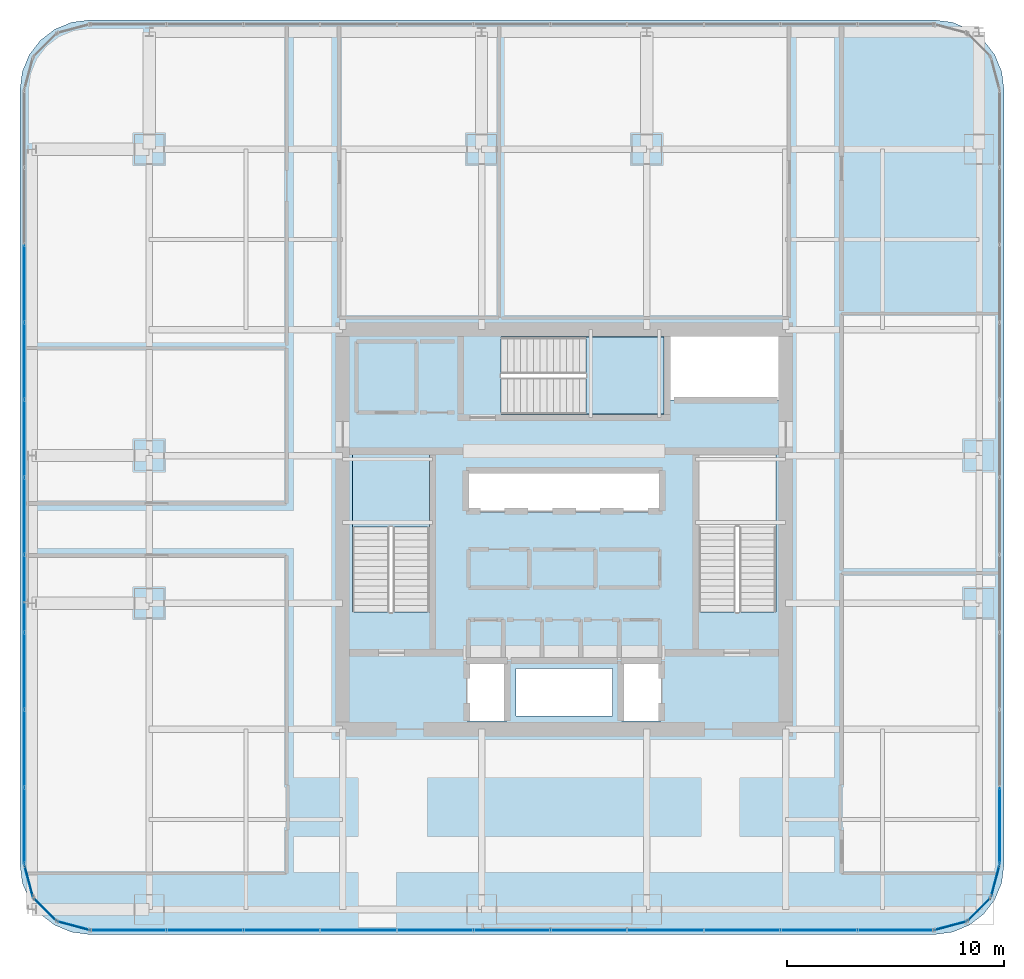
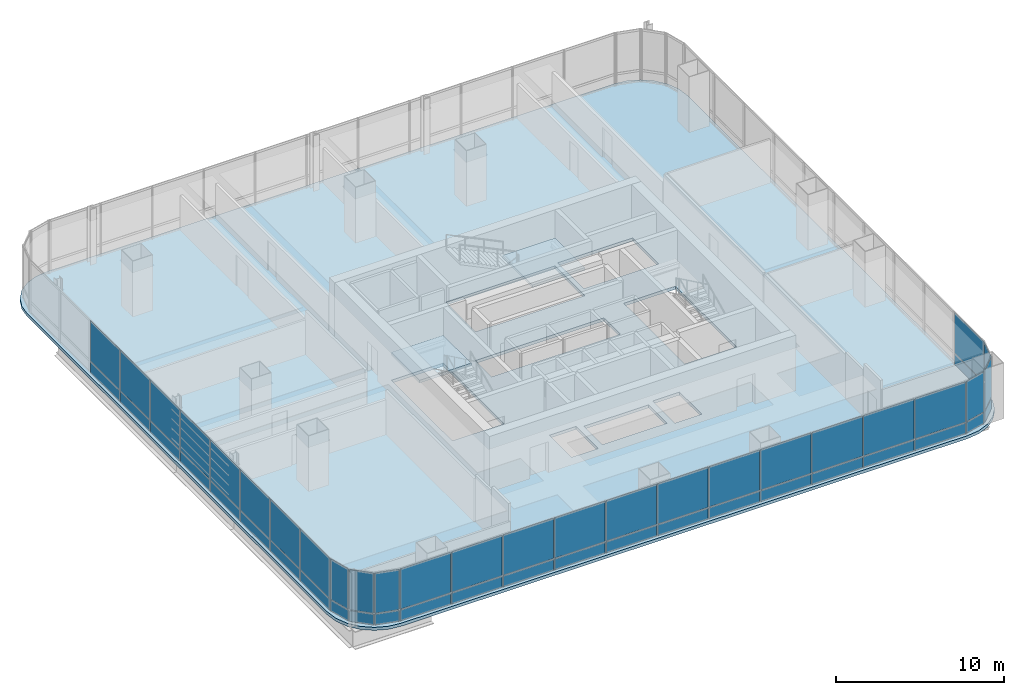
# One storey, part 28 of 38: 52 plates, 3 slabs, 11 elements without a shape of their own.
"""IFC4 building model written with IfcOpenShell, lengths in metres."""

from ifc_helpers import new_model, si_unit, direction, frame, origin, origin_2d, place, context, subcontext, project, spatial, polyline, rectangle, outline, extrude, material, layer, layer_set, type_object, element, aggregate, save


model = new_model("IFC4")

# Units and contexts
model_context = context("Model", 3, precision=1e-05, world=origin(), true_north=direction((0.0, 1.0)))
body_context = subcontext(model_context, "Body", "Model", "MODEL_VIEW")
ifc_project = project(units=[si_unit("LENGTHUNIT", "METRE"), si_unit("AREAUNIT", "SQUARE_METRE"), si_unit("VOLUMEUNIT", "CUBIC_METRE"), si_unit("PLANEANGLEUNIT", "RADIAN"), si_unit("MASSUNIT", "GRAM", prefix="KILO")], contexts=[model_context])

# Site, building, storey
site_placement = place(None, origin())
site = spatial("IfcSite", under=ifc_project, at=site_placement, CompositionType="ELEMENT")
building_placement = place(site_placement, origin())
building = spatial("IfcBuilding", under=site, at=building_placement, Name="Punatoya Terracotta Tower", CompositionType="ELEMENT")
storey_placement = place(building_placement, frame((0.0, 0.0, 147.89990234375)))
storey = spatial("IfcBuildingStorey", under=building, at=storey_placement, Name="L34", CompositionType="ELEMENT", Elevation=147.89990234375)

# Curtain wall, plates
ifc_material_1 = material(Name="Aluminium 6063-T6 + Double Low-E Glass", Category="aluminium")
curtain_wall_type = type_object("IfcCurtainWallType", Name="CW-M2", PredefinedType="NOTDEFINED", material=ifc_material_1)
curtain_wall_1_placement = place(storey_placement, origin())
curtain_wall_1 = element("IfcCurtainWall", 1, at=curtain_wall_1_placement, inside=storey, type_object=curtain_wall_type, Name="L34 Curtain Wall CW-L34-S01-1", PredefinedType="NOTDEFINED")
ifc_material_2 = material(Name="Double Low-E Acoustic Vision Glass", Category="glass")
ifc_layer_1 = layer(ifc_material_2, 0.031982421875)
ifc_layer_set_1 = layer_set([ifc_layer_1], Name="Double Low-E Acoustic Vision Glass")
plate_type_1 = type_object("IfcPlateType", Name="PLT-GLZ-32", PredefinedType="CURTAIN_PANEL", material=ifc_layer_set_1)
plate_1_placement = place(storey_placement, frame((-20.06982421875, -18.449951171875, 0.89013671875), z_axis=(0.0, 0.0, 1.0), x_axis=(1.0, 0.0, 0.0)))
plate_1 = element("IfcPlate", 2, at=plate_1_placement, type_object=plate_type_1, Name="CW-L34-S01-1 Vision Glass Panel 1", PredefinedType="CURTAIN_PANEL", context=body_context, shape_type="SweptSolid", body=[
    extrude(rectangle(XDim=3.448974609375, YDim=0.031982421875, at=origin_2d()), origin(), (0.0, 0.0, 1.0), 2.89990234375),
])
plate_2_placement = place(storey_placement, frame((-16.535888671875, -18.449951171875, 0.89013671875), z_axis=(0.0, 0.0, 1.0), x_axis=(1.0, 0.0, 0.0)))
plate_2 = element("IfcPlate", 3, at=plate_2_placement, type_object=plate_type_1, Name="CW-L34-S01-1 Vision Glass Panel 2", PredefinedType="CURTAIN_PANEL", context=body_context, shape_type="SweptSolid", body=[
    extrude(rectangle(XDim=3.448974609375, YDim=0.031982421875, at=origin_2d()), origin(), (0.0, 0.0, 1.0), 2.89990234375),
])
plate_3_placement = place(storey_placement, frame((-13.001953125, -18.449951171875, 0.89013671875), z_axis=(0.0, 0.0, 1.0), x_axis=(1.0, 0.0, 0.0)))
plate_3 = element("IfcPlate", 4, at=plate_3_placement, type_object=plate_type_1, Name="CW-L34-S01-1 Vision Glass Panel 3", PredefinedType="CURTAIN_PANEL", context=body_context, shape_type="SweptSolid", body=[
    extrude(rectangle(XDim=3.448974609375, YDim=0.031982421875, at=origin_2d()), origin(), (0.0, 0.0, 1.0), 2.89990234375),
])
plate_4_placement = place(storey_placement, frame((-9.468017578125, -18.449951171875, 0.89013671875), z_axis=(0.0, 0.0, 1.0), x_axis=(1.0, 0.0, 0.0)))
plate_4 = element("IfcPlate", 5, at=plate_4_placement, type_object=plate_type_1, Name="CW-L34-S01-1 Vision Glass Panel 4", PredefinedType="CURTAIN_PANEL", context=body_context, shape_type="SweptSolid", body=[
    extrude(rectangle(XDim=3.448974609375, YDim=0.031982421875, at=origin_2d()), origin(), (0.0, 0.0, 1.0), 2.89990234375),
])
plate_5_placement = place(storey_placement, frame((-5.93408203125, -18.449951171875, 0.89013671875), z_axis=(0.0, 0.0, 1.0), x_axis=(1.0, 0.0, 0.0)))
plate_5 = element("IfcPlate", 6, at=plate_5_placement, type_object=plate_type_1, Name="CW-L34-S01-1 Vision Glass Panel 5", PredefinedType="CURTAIN_PANEL", context=body_context, shape_type="SweptSolid", body=[
    extrude(rectangle(XDim=3.448974609375, YDim=0.031982421875, at=origin_2d()), origin(), (0.0, 0.0, 1.0), 2.89990234375),
])
plate_6_placement = place(storey_placement, frame((-2.39990234375, -18.449951171875, 0.89013671875), z_axis=(0.0, 0.0, 1.0), x_axis=(1.0, 0.0, 0.0)))
plate_6 = element("IfcPlate", 7, at=plate_6_placement, type_object=plate_type_1, Name="CW-L34-S01-1 Vision Glass Panel 6", PredefinedType="CURTAIN_PANEL", context=body_context, shape_type="SweptSolid", body=[
    extrude(rectangle(XDim=3.448974609375, YDim=0.031982421875, at=origin_2d()), origin(), (0.0, 0.0, 1.0), 2.89990234375),
])
plate_7_placement = place(storey_placement, frame((1.134033203125, -18.449951171875, 0.89013671875), z_axis=(0.0, 0.0, 1.0), x_axis=(1.0, 0.0, 0.0)))
plate_7 = element("IfcPlate", 8, at=plate_7_placement, type_object=plate_type_1, Name="CW-L34-S01-1 Vision Glass Panel 7", PredefinedType="CURTAIN_PANEL", context=body_context, shape_type="SweptSolid", body=[
    extrude(rectangle(XDim=3.448974609375, YDim=0.031982421875, at=origin_2d()), origin(), (0.0, 0.0, 1.0), 2.89990234375),
])
plate_8_placement = place(storey_placement, frame((4.66796875, -18.449951171875, 0.89013671875), z_axis=(0.0, 0.0, 1.0), x_axis=(1.0, 0.0, 0.0)))
plate_8 = element("IfcPlate", 9, at=plate_8_placement, type_object=plate_type_1, Name="CW-L34-S01-1 Vision Glass Panel 8", PredefinedType="CURTAIN_PANEL", context=body_context, shape_type="SweptSolid", body=[
    extrude(rectangle(XDim=3.448974609375, YDim=0.031982421875, at=origin_2d()), origin(), (0.0, 0.0, 1.0), 2.89990234375),
])
plate_9_placement = place(storey_placement, frame((8.201904296875, -18.449951171875, 0.89013671875), z_axis=(0.0, 0.0, 1.0), x_axis=(1.0, 0.0, 0.0)))
plate_9 = element("IfcPlate", 10, at=plate_9_placement, type_object=plate_type_1, Name="CW-L34-S01-1 Vision Glass Panel 9", PredefinedType="CURTAIN_PANEL", context=body_context, shape_type="SweptSolid", body=[
    extrude(rectangle(XDim=3.448974609375, YDim=0.031982421875, at=origin_2d()), origin(), (0.0, 0.0, 1.0), 2.89990234375),
])
plate_10_placement = place(storey_placement, frame((11.73583984375, -18.449951171875, 0.89013671875), z_axis=(0.0, 0.0, 1.0), x_axis=(1.0, 0.0, 0.0)))
plate_10 = element("IfcPlate", 11, at=plate_10_placement, type_object=plate_type_1, Name="CW-L34-S01-1 Vision Glass Panel 10", PredefinedType="CURTAIN_PANEL", context=body_context, shape_type="SweptSolid", body=[
    extrude(rectangle(XDim=3.448974609375, YDim=0.031982421875, at=origin_2d()), origin(), (0.0, 0.0, 1.0), 2.89990234375),
])
plate_11_placement = place(storey_placement, frame((15.27001953125, -18.449951171875, 0.89013671875), z_axis=(0.0, 0.0, 1.0), x_axis=(1.0, 0.0, 0.0)))
plate_11 = element("IfcPlate", 12, at=plate_11_placement, type_object=plate_type_1, Name="CW-L34-S01-1 Vision Glass Panel 11", PredefinedType="CURTAIN_PANEL", context=body_context, shape_type="SweptSolid", body=[
    extrude(rectangle(XDim=3.448974609375, YDim=0.031982421875, at=origin_2d()), origin(), (0.0, 0.0, 1.0), 2.89990234375),
])

# Curtain wall, plate
curtain_wall_2_placement = place(storey_placement, origin())
curtain_wall_2 = element("IfcCurtainWall", 13, at=curtain_wall_2_placement, inside=storey, type_object=curtain_wall_type, Name="L34 Curtain Wall CW-L34-CRN02", PredefinedType="NOTDEFINED")
plate_12_placement = place(storey_placement, frame((17.79296875, -18.248291015625, 0.89013671875), z_axis=(0.0, 0.0, 1.0), x_axis=(0.966213877436, 0.257741620719, 0.0)))
plate_12 = element("IfcPlate", 14, at=plate_12_placement, type_object=plate_type_1, Name="CW-L34-CRN02 Vision Glass Panel 1", PredefinedType="CURTAIN_PANEL", context=body_context, shape_type="SweptSolid", body=[
    extrude(rectangle(XDim=1.47998046875, YDim=0.031982421875, at=origin_2d()), origin(), (0.0, 0.0, 1.0), 2.89990234375),
])

curtain_wall_3_placement = place(storey_placement, origin())
curtain_wall_3 = element("IfcCurtainWall", 15, at=curtain_wall_3_placement, inside=storey, type_object=curtain_wall_type, Name="L34 Curtain Wall CW-L34-CRN03", PredefinedType="NOTDEFINED")
plate_13_placement = place(storey_placement, frame((19.097900390625, -17.497802734375, 0.89013671875), z_axis=(0.0, 0.0, 1.0), x_axis=(0.707106781187, 0.707106781187, 0.0)))
plate_13 = element("IfcPlate", 16, at=plate_13_placement, type_object=plate_type_1, Name="CW-L34-CRN03 Vision Glass Panel 1", PredefinedType="CURTAIN_PANEL", context=body_context, shape_type="SweptSolid", body=[
    extrude(rectangle(XDim=1.467041015625, YDim=0.031982421875, at=origin_2d()), origin(), (0.0, 0.0, 1.0), 2.89990234375),
])

curtain_wall_4_placement = place(storey_placement, origin())
curtain_wall_4 = element("IfcCurtainWall", 17, at=curtain_wall_4_placement, inside=storey, type_object=curtain_wall_type, Name="L34 Curtain Wall CW-L34-CRN04", PredefinedType="NOTDEFINED")
plate_14_placement = place(storey_placement, frame((19.848388671875, -16.193115234375, 0.89013671875), z_axis=(0.0, 0.0, 1.0), x_axis=(0.257741620719, 0.966213877436, 0.0)))
plate_14 = element("IfcPlate", 18, at=plate_14_placement, type_object=plate_type_1, Name="CW-L34-CRN04 Vision Glass Panel 1", PredefinedType="CURTAIN_PANEL", context=body_context, shape_type="SweptSolid", body=[
    extrude(rectangle(XDim=1.47998046875, YDim=0.031982421875, at=origin_2d()), origin(), (0.0, 0.0, 1.0), 2.89990234375),
])

curtain_wall_5_placement = place(storey_placement, origin())
curtain_wall_5 = element("IfcCurtainWall", 19, at=curtain_wall_5_placement, inside=storey, type_object=curtain_wall_type, Name="L34 Curtain Wall CW-L34-E05-1", PredefinedType="NOTDEFINED")
plate_15_placement = place(storey_placement, frame((20.050048828125, -13.6533203125, 0.89013671875), z_axis=(0.0, 0.0, 1.0), x_axis=(0.0, 1.0, 0.0)))
plate_15 = element("IfcPlate", 20, at=plate_15_placement, type_object=plate_type_1, Name="CW-L34-E05-1 Vision Glass Panel 1", PredefinedType="CURTAIN_PANEL", context=body_context, shape_type="SweptSolid", body=[
    extrude(rectangle(XDim=3.482421875, YDim=0.031982421875, at=origin_2d()), origin(), (0.0, 0.0, 1.0), 2.89990234375),
])

# Curtain wall, plates
curtain_wall_6_placement = place(storey_placement, origin())
curtain_wall_6 = element("IfcCurtainWall", 21, at=curtain_wall_6_placement, inside=storey, type_object=curtain_wall_type, Name="L34 Curtain Wall CW-L34-W13-1", PredefinedType="NOTDEFINED")
plate_16_placement = place(storey_placement, frame((-24.85009765625, 11.318359375, 0.89013671875), z_axis=(0.0, 0.0, 1.0), x_axis=(0.0, -1.0, 0.0)))
plate_16 = element("IfcPlate", 22, at=plate_16_placement, type_object=plate_type_1, Name="CW-L34-W13-1 Vision Glass Panel 3", PredefinedType="CURTAIN_PANEL", context=body_context, shape_type="SweptSolid", body=[
    extrude(rectangle(XDim=3.482421875, YDim=0.031982421875, at=origin_2d()), origin(), (0.0, 0.0, 1.0), 2.89990234375),
])
plate_17_placement = place(storey_placement, frame((-24.85009765625, 7.751220703125, 0.89013671875), z_axis=(0.0, 0.0, 1.0), x_axis=(0.0, -1.0, 0.0)))
plate_17 = element("IfcPlate", 23, at=plate_17_placement, type_object=plate_type_1, Name="CW-L34-W13-1 Vision Glass Panel 4", PredefinedType="CURTAIN_PANEL", context=body_context, shape_type="SweptSolid", body=[
    extrude(rectangle(XDim=3.482421875, YDim=0.031982421875, at=origin_2d()), origin(), (0.0, 0.0, 1.0), 2.89990234375),
])
plate_18_placement = place(storey_placement, frame((-24.85009765625, 4.18359375, 0.89013671875), z_axis=(0.0, 0.0, 1.0), x_axis=(0.0, -1.0, 0.0)))
plate_18 = element("IfcPlate", 24, at=plate_18_placement, type_object=plate_type_1, Name="CW-L34-W13-1 Vision Glass Panel 5", PredefinedType="CURTAIN_PANEL", context=body_context, shape_type="SweptSolid", body=[
    extrude(rectangle(XDim=3.482421875, YDim=0.031982421875, at=origin_2d()), origin(), (0.0, 0.0, 1.0), 2.89990234375),
])
plate_19_placement = place(storey_placement, frame((-24.85009765625, 0.6162109375, 0.89013671875), z_axis=(0.0, 0.0, 1.0), x_axis=(0.0, -1.0, 0.0)))
plate_19 = element("IfcPlate", 25, at=plate_19_placement, type_object=plate_type_1, Name="CW-L34-W13-1 Vision Glass Panel 6", PredefinedType="CURTAIN_PANEL", context=body_context, shape_type="SweptSolid", body=[
    extrude(rectangle(XDim=3.482421875, YDim=0.031982421875, at=origin_2d()), origin(), (0.0, 0.0, 1.0), 2.89990234375),
])
plate_20_placement = place(storey_placement, frame((-24.85009765625, -2.951171875, 0.89013671875), z_axis=(0.0, 0.0, 1.0), x_axis=(0.0, -1.0, 0.0)))
plate_20 = element("IfcPlate", 26, at=plate_20_placement, type_object=plate_type_1, Name="CW-L34-W13-1 Vision Glass Panel 7", PredefinedType="CURTAIN_PANEL", context=body_context, shape_type="SweptSolid", body=[
    extrude(rectangle(XDim=3.482421875, YDim=0.031982421875, at=origin_2d()), origin(), (0.0, 0.0, 1.0), 2.89990234375),
])
plate_21_placement = place(storey_placement, frame((-24.85009765625, -6.518310546875, 0.89013671875), z_axis=(0.0, 0.0, 1.0), x_axis=(0.0, -1.0, 0.0)))
plate_21 = element("IfcPlate", 27, at=plate_21_placement, type_object=plate_type_1, Name="CW-L34-W13-1 Vision Glass Panel 8", PredefinedType="CURTAIN_PANEL", context=body_context, shape_type="SweptSolid", body=[
    extrude(rectangle(XDim=3.482421875, YDim=0.031982421875, at=origin_2d()), origin(), (0.0, 0.0, 1.0), 2.89990234375),
])
plate_22_placement = place(storey_placement, frame((-24.85009765625, -10.085693359375, 0.89013671875), z_axis=(0.0, 0.0, 1.0), x_axis=(0.0, -1.0, 0.0)))
plate_22 = element("IfcPlate", 28, at=plate_22_placement, type_object=plate_type_1, Name="CW-L34-W13-1 Vision Glass Panel 9", PredefinedType="CURTAIN_PANEL", context=body_context, shape_type="SweptSolid", body=[
    extrude(rectangle(XDim=3.482421875, YDim=0.031982421875, at=origin_2d()), origin(), (0.0, 0.0, 1.0), 2.89990234375),
])
plate_23_placement = place(storey_placement, frame((-24.85009765625, -13.6533203125, 0.89013671875), z_axis=(0.0, 0.0, 1.0), x_axis=(0.0, -1.0, 0.0)))
plate_23 = element("IfcPlate", 29, at=plate_23_placement, type_object=plate_type_1, Name="CW-L34-W13-1 Vision Glass Panel 10", PredefinedType="CURTAIN_PANEL", context=body_context, shape_type="SweptSolid", body=[
    extrude(rectangle(XDim=3.482421875, YDim=0.031982421875, at=origin_2d()), origin(), (0.0, 0.0, 1.0), 2.89990234375),
])

# Curtain wall, plate
curtain_wall_7_placement = place(storey_placement, origin())
curtain_wall_7 = element("IfcCurtainWall", 30, at=curtain_wall_7_placement, inside=storey, type_object=curtain_wall_type, Name="L34 Curtain Wall CW-L34-CRN14", PredefinedType="NOTDEFINED")
plate_24_placement = place(storey_placement, frame((-24.648193359375, -16.193115234375, 0.89013671875), z_axis=(0.0, 0.0, 1.0), x_axis=(0.257741620719, -0.966213877436, 0.0)))
plate_24 = element("IfcPlate", 31, at=plate_24_placement, type_object=plate_type_1, Name="CW-L34-CRN14 Vision Glass Panel 1", PredefinedType="CURTAIN_PANEL", context=body_context, shape_type="SweptSolid", body=[
    extrude(rectangle(XDim=1.47998046875, YDim=0.031982421875, at=origin_2d()), origin(), (0.0, 0.0, 1.0), 2.89990234375),
])

curtain_wall_8_placement = place(storey_placement, origin())
curtain_wall_8 = element("IfcCurtainWall", 32, at=curtain_wall_8_placement, inside=storey, type_object=curtain_wall_type, Name="L34 Curtain Wall CW-L34-CRN15", PredefinedType="NOTDEFINED")
plate_25_placement = place(storey_placement, frame((-23.89794921875, -17.497802734375, 0.89013671875), z_axis=(0.0, 0.0, 1.0), x_axis=(0.707106781187, -0.707106781187, 0.0)))
plate_25 = element("IfcPlate", 33, at=plate_25_placement, type_object=plate_type_1, Name="CW-L34-CRN15 Vision Glass Panel 1", PredefinedType="CURTAIN_PANEL", context=body_context, shape_type="SweptSolid", body=[
    extrude(rectangle(XDim=1.467041015625, YDim=0.031982421875, at=origin_2d()), origin(), (0.0, 0.0, 1.0), 2.89990234375),
])

curtain_wall_9_placement = place(storey_placement, origin())
curtain_wall_9 = element("IfcCurtainWall", 34, at=curtain_wall_9_placement, inside=storey, type_object=curtain_wall_type, Name="L34 Curtain Wall CW-L34-CRN16", PredefinedType="NOTDEFINED")
plate_26_placement = place(storey_placement, frame((-22.593017578125, -18.248291015625, 0.89013671875), z_axis=(0.0, 0.0, 1.0), x_axis=(0.966213877436, -0.257741620719, 0.0)))
plate_26 = element("IfcPlate", 35, at=plate_26_placement, type_object=plate_type_1, Name="CW-L34-CRN16 Vision Glass Panel 1", PredefinedType="CURTAIN_PANEL", context=body_context, shape_type="SweptSolid", body=[
    extrude(rectangle(XDim=1.47998046875, YDim=0.031982421875, at=origin_2d()), origin(), (0.0, 0.0, 1.0), 2.89990234375),
])

# Plate
ifc_material_3 = material(Name="Insulated Terracotta-Backed Spandrel Panel", Category="masonry")
ifc_layer_2 = layer(ifc_material_3, 0.044921875)
ifc_layer_set_2 = layer_set([ifc_layer_2], Name="Insulated Terracotta-Backed Spandrel Panel")
plate_type_2 = type_object("IfcPlateType", Name="PLT-SPN-45", PredefinedType="CURTAIN_PANEL", material=ifc_layer_set_2)
plate_27_placement = place(storey_placement, frame((-20.06982421875, -18.449951171875, 0.0400390625), z_axis=(0.0, 0.0, 1.0), x_axis=(1.0, 0.0, 0.0)))
plate_27 = element("IfcPlate", 36, at=plate_27_placement, type_object=plate_type_2, Name="CW-L34-S01-1 Terracotta Spandrel Panel 1", PredefinedType="CURTAIN_PANEL", context=body_context, shape_type="SweptSolid", body=[
    extrude(rectangle(XDim=3.448974609375, YDim=0.044921875, at=origin_2d()), origin(), (0.0, 0.0, 1.0), 0.77490234375),
])

plate_28_placement = place(storey_placement, frame((-16.535888671875, -18.449951171875, 0.0400390625), z_axis=(0.0, 0.0, 1.0), x_axis=(1.0, 0.0, 0.0)))
plate_28 = element("IfcPlate", 37, at=plate_28_placement, type_object=plate_type_2, Name="CW-L34-S01-1 Terracotta Spandrel Panel 2", PredefinedType="CURTAIN_PANEL", context=body_context, shape_type="SweptSolid", body=[
    extrude(rectangle(XDim=3.448974609375, YDim=0.044921875, at=origin_2d()), origin(), (0.0, 0.0, 1.0), 0.77490234375),
])

plate_29_placement = place(storey_placement, frame((-13.001953125, -18.449951171875, 0.0400390625), z_axis=(0.0, 0.0, 1.0), x_axis=(1.0, 0.0, 0.0)))
plate_29 = element("IfcPlate", 38, at=plate_29_placement, type_object=plate_type_2, Name="CW-L34-S01-1 Terracotta Spandrel Panel 3", PredefinedType="CURTAIN_PANEL", context=body_context, shape_type="SweptSolid", body=[
    extrude(rectangle(XDim=3.448974609375, YDim=0.044921875, at=origin_2d()), origin(), (0.0, 0.0, 1.0), 0.77490234375),
])

plate_30_placement = place(storey_placement, frame((-9.468017578125, -18.449951171875, 0.0400390625), z_axis=(0.0, 0.0, 1.0), x_axis=(1.0, 0.0, 0.0)))
plate_30 = element("IfcPlate", 39, at=plate_30_placement, type_object=plate_type_2, Name="CW-L34-S01-1 Terracotta Spandrel Panel 4", PredefinedType="CURTAIN_PANEL", context=body_context, shape_type="SweptSolid", body=[
    extrude(rectangle(XDim=3.448974609375, YDim=0.044921875, at=origin_2d()), origin(), (0.0, 0.0, 1.0), 0.77490234375),
])

plate_31_placement = place(storey_placement, frame((-5.93408203125, -18.449951171875, 0.0400390625), z_axis=(0.0, 0.0, 1.0), x_axis=(1.0, 0.0, 0.0)))
plate_31 = element("IfcPlate", 40, at=plate_31_placement, type_object=plate_type_2, Name="CW-L34-S01-1 Terracotta Spandrel Panel 5", PredefinedType="CURTAIN_PANEL", context=body_context, shape_type="SweptSolid", body=[
    extrude(rectangle(XDim=3.448974609375, YDim=0.044921875, at=origin_2d()), origin(), (0.0, 0.0, 1.0), 0.77490234375),
])

plate_32_placement = place(storey_placement, frame((-2.39990234375, -18.449951171875, 0.0400390625), z_axis=(0.0, 0.0, 1.0), x_axis=(1.0, 0.0, 0.0)))
plate_32 = element("IfcPlate", 41, at=plate_32_placement, type_object=plate_type_2, Name="CW-L34-S01-1 Terracotta Spandrel Panel 6", PredefinedType="CURTAIN_PANEL", context=body_context, shape_type="SweptSolid", body=[
    extrude(rectangle(XDim=3.448974609375, YDim=0.044921875, at=origin_2d()), origin(), (0.0, 0.0, 1.0), 0.77490234375),
])

plate_33_placement = place(storey_placement, frame((1.134033203125, -18.449951171875, 0.0400390625), z_axis=(0.0, 0.0, 1.0), x_axis=(1.0, 0.0, 0.0)))
plate_33 = element("IfcPlate", 42, at=plate_33_placement, type_object=plate_type_2, Name="CW-L34-S01-1 Terracotta Spandrel Panel 7", PredefinedType="CURTAIN_PANEL", context=body_context, shape_type="SweptSolid", body=[
    extrude(rectangle(XDim=3.448974609375, YDim=0.044921875, at=origin_2d()), origin(), (0.0, 0.0, 1.0), 0.77490234375),
])

plate_34_placement = place(storey_placement, frame((4.66796875, -18.449951171875, 0.0400390625), z_axis=(0.0, 0.0, 1.0), x_axis=(1.0, 0.0, 0.0)))
plate_34 = element("IfcPlate", 43, at=plate_34_placement, type_object=plate_type_2, Name="CW-L34-S01-1 Terracotta Spandrel Panel 8", PredefinedType="CURTAIN_PANEL", context=body_context, shape_type="SweptSolid", body=[
    extrude(rectangle(XDim=3.448974609375, YDim=0.044921875, at=origin_2d()), origin(), (0.0, 0.0, 1.0), 0.77490234375),
])

plate_35_placement = place(storey_placement, frame((8.201904296875, -18.449951171875, 0.0400390625), z_axis=(0.0, 0.0, 1.0), x_axis=(1.0, 0.0, 0.0)))
plate_35 = element("IfcPlate", 44, at=plate_35_placement, type_object=plate_type_2, Name="CW-L34-S01-1 Terracotta Spandrel Panel 9", PredefinedType="CURTAIN_PANEL", context=body_context, shape_type="SweptSolid", body=[
    extrude(rectangle(XDim=3.448974609375, YDim=0.044921875, at=origin_2d()), origin(), (0.0, 0.0, 1.0), 0.77490234375),
])

plate_36_placement = place(storey_placement, frame((11.73583984375, -18.449951171875, 0.0400390625), z_axis=(0.0, 0.0, 1.0), x_axis=(1.0, 0.0, 0.0)))
plate_36 = element("IfcPlate", 45, at=plate_36_placement, type_object=plate_type_2, Name="CW-L34-S01-1 Terracotta Spandrel Panel 10", PredefinedType="CURTAIN_PANEL", context=body_context, shape_type="SweptSolid", body=[
    extrude(rectangle(XDim=3.448974609375, YDim=0.044921875, at=origin_2d()), origin(), (0.0, 0.0, 1.0), 0.77490234375),
])

plate_37_placement = place(storey_placement, frame((15.27001953125, -18.449951171875, 0.0400390625), z_axis=(0.0, 0.0, 1.0), x_axis=(1.0, 0.0, 0.0)))
plate_37 = element("IfcPlate", 46, at=plate_37_placement, type_object=plate_type_2, Name="CW-L34-S01-1 Terracotta Spandrel Panel 11", PredefinedType="CURTAIN_PANEL", context=body_context, shape_type="SweptSolid", body=[
    extrude(rectangle(XDim=3.448974609375, YDim=0.044921875, at=origin_2d()), origin(), (0.0, 0.0, 1.0), 0.77490234375),
])

aggregate(curtain_wall_1, [plate_27, plate_1, plate_28, plate_2, plate_29, plate_3, plate_30, plate_4, plate_31, plate_5, plate_32, plate_6, plate_33, plate_7, plate_34, plate_8, plate_35, plate_9, plate_36, plate_10, plate_37, plate_11])

plate_38_placement = place(storey_placement, frame((17.79296875, -18.248291015625, 0.0400390625), z_axis=(0.0, 0.0, 1.0), x_axis=(0.966213877436, 0.257741620719, 0.0)))
plate_38 = element("IfcPlate", 47, at=plate_38_placement, type_object=plate_type_2, Name="CW-L34-CRN02 Terracotta Spandrel Panel 1", PredefinedType="CURTAIN_PANEL", context=body_context, shape_type="SweptSolid", body=[
    extrude(rectangle(XDim=1.47998046875, YDim=0.044921875, at=origin_2d()), origin(), (0.0, 0.0, 1.0), 0.77490234375),
])

aggregate(curtain_wall_2, [plate_38, plate_12])

plate_39_placement = place(storey_placement, frame((19.097900390625, -17.497802734375, 0.0400390625), z_axis=(0.0, 0.0, 1.0), x_axis=(0.707106781187, 0.707106781187, 0.0)))
plate_39 = element("IfcPlate", 48, at=plate_39_placement, type_object=plate_type_2, Name="CW-L34-CRN03 Terracotta Spandrel Panel 1", PredefinedType="CURTAIN_PANEL", context=body_context, shape_type="SweptSolid", body=[
    extrude(rectangle(XDim=1.467041015625, YDim=0.044921875, at=origin_2d()), origin(), (0.0, 0.0, 1.0), 0.77490234375),
])

aggregate(curtain_wall_3, [plate_39, plate_13])

plate_40_placement = place(storey_placement, frame((19.848388671875, -16.193115234375, 0.0400390625), z_axis=(0.0, 0.0, 1.0), x_axis=(0.257741620719, 0.966213877436, 0.0)))
plate_40 = element("IfcPlate", 49, at=plate_40_placement, type_object=plate_type_2, Name="CW-L34-CRN04 Terracotta Spandrel Panel 1", PredefinedType="CURTAIN_PANEL", context=body_context, shape_type="SweptSolid", body=[
    extrude(rectangle(XDim=1.47998046875, YDim=0.044921875, at=origin_2d()), origin(), (0.0, 0.0, 1.0), 0.77490234375),
])

aggregate(curtain_wall_4, [plate_40, plate_14])

plate_41_placement = place(storey_placement, frame((20.050048828125, -13.6533203125, 0.0400390625), z_axis=(0.0, 0.0, 1.0), x_axis=(0.0, 1.0, 0.0)))
plate_41 = element("IfcPlate", 50, at=plate_41_placement, type_object=plate_type_2, Name="CW-L34-E05-1 Terracotta Spandrel Panel 1", PredefinedType="CURTAIN_PANEL", context=body_context, shape_type="SweptSolid", body=[
    extrude(rectangle(XDim=3.482421875, YDim=0.044921875, at=origin_2d()), origin(), (0.0, 0.0, 1.0), 0.77490234375),
])

aggregate(curtain_wall_5, [plate_41, plate_15])

plate_42_placement = place(storey_placement, frame((-24.85009765625, 11.318359375, 0.0400390625), z_axis=(0.0, 0.0, 1.0), x_axis=(0.0, -1.0, 0.0)))
plate_42 = element("IfcPlate", 51, at=plate_42_placement, type_object=plate_type_2, Name="CW-L34-W13-1 Terracotta Spandrel Panel 3", PredefinedType="CURTAIN_PANEL", context=body_context, shape_type="SweptSolid", body=[
    extrude(rectangle(XDim=3.482421875, YDim=0.044921875, at=origin_2d()), origin(), (0.0, 0.0, 1.0), 0.77490234375),
])

plate_43_placement = place(storey_placement, frame((-24.85009765625, 7.751220703125, 0.0400390625), z_axis=(0.0, 0.0, 1.0), x_axis=(0.0, -1.0, 0.0)))
plate_43 = element("IfcPlate", 52, at=plate_43_placement, type_object=plate_type_2, Name="CW-L34-W13-1 Terracotta Spandrel Panel 4", PredefinedType="CURTAIN_PANEL", context=body_context, shape_type="SweptSolid", body=[
    extrude(rectangle(XDim=3.482421875, YDim=0.044921875, at=origin_2d()), origin(), (0.0, 0.0, 1.0), 0.77490234375),
])

plate_44_placement = place(storey_placement, frame((-24.85009765625, 4.18359375, 0.0400390625), z_axis=(0.0, 0.0, 1.0), x_axis=(0.0, -1.0, 0.0)))
plate_44 = element("IfcPlate", 53, at=plate_44_placement, type_object=plate_type_2, Name="CW-L34-W13-1 Terracotta Spandrel Panel 5", PredefinedType="CURTAIN_PANEL", context=body_context, shape_type="SweptSolid", body=[
    extrude(rectangle(XDim=3.482421875, YDim=0.044921875, at=origin_2d()), origin(), (0.0, 0.0, 1.0), 0.77490234375),
])

plate_45_placement = place(storey_placement, frame((-24.85009765625, 0.6162109375, 0.0400390625), z_axis=(0.0, 0.0, 1.0), x_axis=(0.0, -1.0, 0.0)))
plate_45 = element("IfcPlate", 54, at=plate_45_placement, type_object=plate_type_2, Name="CW-L34-W13-1 Terracotta Spandrel Panel 6", PredefinedType="CURTAIN_PANEL", context=body_context, shape_type="SweptSolid", body=[
    extrude(rectangle(XDim=3.482421875, YDim=0.044921875, at=origin_2d()), origin(), (0.0, 0.0, 1.0), 0.77490234375),
])

plate_46_placement = place(storey_placement, frame((-24.85009765625, -2.951171875, 0.0400390625), z_axis=(0.0, 0.0, 1.0), x_axis=(0.0, -1.0, 0.0)))
plate_46 = element("IfcPlate", 55, at=plate_46_placement, type_object=plate_type_2, Name="CW-L34-W13-1 Terracotta Spandrel Panel 7", PredefinedType="CURTAIN_PANEL", context=body_context, shape_type="SweptSolid", body=[
    extrude(rectangle(XDim=3.482421875, YDim=0.044921875, at=origin_2d()), origin(), (0.0, 0.0, 1.0), 0.77490234375),
])

plate_47_placement = place(storey_placement, frame((-24.85009765625, -6.518310546875, 0.0400390625), z_axis=(0.0, 0.0, 1.0), x_axis=(0.0, -1.0, 0.0)))
plate_47 = element("IfcPlate", 56, at=plate_47_placement, type_object=plate_type_2, Name="CW-L34-W13-1 Terracotta Spandrel Panel 8", PredefinedType="CURTAIN_PANEL", context=body_context, shape_type="SweptSolid", body=[
    extrude(rectangle(XDim=3.482421875, YDim=0.044921875, at=origin_2d()), origin(), (0.0, 0.0, 1.0), 0.77490234375),
])

plate_48_placement = place(storey_placement, frame((-24.85009765625, -10.085693359375, 0.0400390625), z_axis=(0.0, 0.0, 1.0), x_axis=(0.0, -1.0, 0.0)))
plate_48 = element("IfcPlate", 57, at=plate_48_placement, type_object=plate_type_2, Name="CW-L34-W13-1 Terracotta Spandrel Panel 9", PredefinedType="CURTAIN_PANEL", context=body_context, shape_type="SweptSolid", body=[
    extrude(rectangle(XDim=3.482421875, YDim=0.044921875, at=origin_2d()), origin(), (0.0, 0.0, 1.0), 0.77490234375),
])

plate_49_placement = place(storey_placement, frame((-24.85009765625, -13.6533203125, 0.0400390625), z_axis=(0.0, 0.0, 1.0), x_axis=(0.0, -1.0, 0.0)))
plate_49 = element("IfcPlate", 58, at=plate_49_placement, type_object=plate_type_2, Name="CW-L34-W13-1 Terracotta Spandrel Panel 10", PredefinedType="CURTAIN_PANEL", context=body_context, shape_type="SweptSolid", body=[
    extrude(rectangle(XDim=3.482421875, YDim=0.044921875, at=origin_2d()), origin(), (0.0, 0.0, 1.0), 0.77490234375),
])

aggregate(curtain_wall_6, [plate_42, plate_16, plate_43, plate_17, plate_44, plate_18, plate_45, plate_19, plate_46, plate_20, plate_47, plate_21, plate_48, plate_22, plate_49, plate_23])

plate_50_placement = place(storey_placement, frame((-24.648193359375, -16.193115234375, 0.0400390625), z_axis=(0.0, 0.0, 1.0), x_axis=(0.257741620719, -0.966213877436, 0.0)))
plate_50 = element("IfcPlate", 59, at=plate_50_placement, type_object=plate_type_2, Name="CW-L34-CRN14 Terracotta Spandrel Panel 1", PredefinedType="CURTAIN_PANEL", context=body_context, shape_type="SweptSolid", body=[
    extrude(rectangle(XDim=1.47998046875, YDim=0.044921875, at=origin_2d()), origin(), (0.0, 0.0, 1.0), 0.77490234375),
])

aggregate(curtain_wall_7, [plate_50, plate_24])

plate_51_placement = place(storey_placement, frame((-23.89794921875, -17.497802734375, 0.0400390625), z_axis=(0.0, 0.0, 1.0), x_axis=(0.707106781187, -0.707106781187, 0.0)))
plate_51 = element("IfcPlate", 60, at=plate_51_placement, type_object=plate_type_2, Name="CW-L34-CRN15 Terracotta Spandrel Panel 1", PredefinedType="CURTAIN_PANEL", context=body_context, shape_type="SweptSolid", body=[
    extrude(rectangle(XDim=1.467041015625, YDim=0.044921875, at=origin_2d()), origin(), (0.0, 0.0, 1.0), 0.77490234375),
])

aggregate(curtain_wall_8, [plate_51, plate_25])

plate_52_placement = place(storey_placement, frame((-22.593017578125, -18.248291015625, 0.0400390625), z_axis=(0.0, 0.0, 1.0), x_axis=(0.966213877436, -0.257741620719, 0.0)))
plate_52 = element("IfcPlate", 61, at=plate_52_placement, type_object=plate_type_2, Name="CW-L34-CRN16 Terracotta Spandrel Panel 1", PredefinedType="CURTAIN_PANEL", context=body_context, shape_type="SweptSolid", body=[
    extrude(rectangle(XDim=1.47998046875, YDim=0.044921875, at=origin_2d()), origin(), (0.0, 0.0, 1.0), 0.77490234375),
])

aggregate(curtain_wall_9, [plate_52, plate_26])

# Stair, slab
ifc_material_4 = material(Name="Concrete C40/50", Category="concrete")
stair_type_1 = type_object("IfcStairType", Name="STR-TER-1450", PredefinedType="HALF_TURN_STAIR", material=ifc_material_4)
stair_1_placement = place(storey_placement, origin())
stair_1 = element("IfcStair", 62, at=stair_1_placement, inside=storey, type_object=stair_type_1, Name="L34 Protected Core Exit Stair ST-3", PredefinedType="HALF_TURN_STAIR")
ifc_layer_3 = layer(ifc_material_4, 0.1650390625)
ifc_layer_set_3 = layer_set([ifc_layer_3], Name="Concrete C40/50")
slab_type_1 = type_object("IfcSlabType", Name="SLB-LND-165", PredefinedType="LANDING", material=ifc_layer_set_3)
slab_1_placement = place(storey_placement, frame((0.0, 0.0, 1.8251953125)))
slab_1 = element("IfcSlab", 63, at=slab_1_placement, type_object=slab_type_1, Name="ST-3 landing 1", PredefinedType="LANDING", context=body_context, shape_type="SweptSolid", body=[
    extrude(outline(polyline([(1.0, 5.300048828125), (4.60009765625, 5.300048828125), (4.60009765625, 8.85009765625), (1.0, 8.85009765625), (1.0, 5.300048828125)])), origin(), (0.0, 0.0, 1.0), 0.199951171875),
])
aggregate(stair_1, [slab_1])

stair_type_2 = type_object("IfcStairType", Name="STR-CORE-1550", PredefinedType="HALF_TURN_STAIR", material=ifc_material_4)
stair_2_placement = place(storey_placement, origin())
stair_2 = element("IfcStair", 64, at=stair_2_placement, inside=storey, type_object=stair_type_2, Name="L34 Protected Core Exit Stair ST-1", PredefinedType="HALF_TURN_STAIR")
ifc_layer_4 = layer(ifc_material_4, 0.179931640625)
ifc_layer_set_4 = layer_set([ifc_layer_4], Name="Concrete C40/50")
slab_type_2 = type_object("IfcSlabType", Name="SLB-LND-180", PredefinedType="LANDING", material=ifc_layer_set_4)
slab_2_placement = place(storey_placement, frame((0.0, 0.0, 1.8251953125)))
slab_2 = element("IfcSlab", 65, at=slab_2_placement, type_object=slab_type_2, Name="ST-1 landing 1", PredefinedType="LANDING", context=body_context, shape_type="SweptSolid", body=[
    extrude(outline(polyline([(-6.199951171875, 0.10009765625), (-6.199951171875, 3.449951171875), (-9.75, 3.449951171875), (-9.75, 0.10009765625), (-6.199951171875, 0.10009765625)])), origin(), (0.0, 0.0, 1.0), 0.199951171875),
])
aggregate(stair_2, [slab_2])

# Slab
ifc_layer_5 = layer(ifc_material_4, 0.219970703125)
ifc_layer_set_5 = layer_set([ifc_layer_5], Name="Concrete C40/50")
slab_type_3 = type_object("IfcSlabType", Name="SLB-OFF-220", PredefinedType="FLOOR", material=ifc_layer_set_5)
slab_3_placement = place(storey_placement, frame((0.0, 0.0, -0.219970703125)))
element("IfcSlab", 66, at=slab_3_placement, inside=storey, type_object=slab_type_3, Name="L34 Structural Floor Slab", PredefinedType="FLOOR", context=body_context, shape_type="SweptSolid", body=[
    extrude(outline(polyline([(-21.85009765625, -18.64990234375), (-22.67822265625, -18.541015625), (-23.449951171875, -18.22119140625), (-24.11279296875, -17.712646484375), (-24.621337890625, -17.050048828125), (-24.94091796875, -16.2783203125), (-25.050048828125, -15.449951171875), (-25.050048828125, 20.25), (-24.94091796875, 21.078125), (-24.621337890625, 21.85009765625), (-24.11279296875, 22.5126953125), (-23.449951171875, 23.021240234375), (-22.67822265625, 23.341064453125), (-21.85009765625, 23.449951171875), (17.050048828125, 23.449951171875), (17.878173828125, 23.341064453125), (18.64990234375, 23.021240234375), (19.312744140625, 22.5126953125), (19.8212890625, 21.85009765625), (20.14111328125, 21.078125), (20.25, 20.25), (20.25, -15.449951171875), (20.14111328125, -16.2783203125), (19.8212890625, -17.050048828125), (19.312744140625, -17.712646484375), (18.64990234375, -18.22119140625), (17.878173828125, -18.541015625), (17.050048828125, -18.64990234375), (-21.85009765625, -18.64990234375)]), holes=[polyline([(-2.6298828125, -6.179931640625), (-4.469970703125, -6.179931640625), (-4.469970703125, -8.820068359375), (-2.6298828125, -8.820068359375), (-2.6298828125, -6.179931640625)]), polyline([(0.02001953125, -8.594970703125), (2.219970703125, -8.594970703125), (2.219970703125, -6.405029296875), (0.02001953125, -6.405029296875), (-0.02001953125, -6.405029296875), (-2.219970703125, -6.405029296875), (-2.219970703125, -8.594970703125), (-0.02001953125, -8.594970703125), (0.02001953125, -8.594970703125)]), polyline([(-6.199951171875, 3.449951171875), (-9.75, 3.449951171875), (-9.75, -3.79931640625), (-6.199951171875, -3.79931640625), (-6.199951171875, 3.449951171875)]), polyline([(-4.419921875, 2.719970703125), (-4.419921875, 0.780029296875), (-2.219970703125, 0.780029296875), (-2.179931640625, 0.780029296875), (-0.02001953125, 0.780029296875), (0.02001953125, 0.780029296875), (2.179931640625, 0.780029296875), (2.219970703125, 0.780029296875), (4.419921875, 0.780029296875), (4.419921875, 2.719970703125), (2.219970703125, 2.719970703125), (2.179931640625, 2.719970703125), (0.02001953125, 2.719970703125), (-0.02001953125, 2.719970703125), (-2.179931640625, 2.719970703125), (-2.219970703125, 2.719970703125), (-4.419921875, 2.719970703125)]), polyline([(4.60009765625, 5.300048828125), (4.60009765625, 8.85009765625), (-2.899169921875, 8.85009765625), (-2.899169921875, 5.300048828125), (4.60009765625, 5.300048828125)]), polyline([(4.469970703125, -8.820068359375), (4.469970703125, -6.179931640625), (2.6298828125, -6.179931640625), (2.6298828125, -8.820068359375), (4.469970703125, -8.820068359375)]), polyline([(9.75, 3.449951171875), (6.199951171875, 3.449951171875), (6.199951171875, -3.79931640625), (9.75, -3.79931640625), (9.75, 3.449951171875)]), polyline([(10.050048828125, 5.949951171875), (10.050048828125, 9.050048828125), (4.89990234375, 9.050048828125), (4.89990234375, 5.949951171875), (10.050048828125, 5.949951171875)])]), origin(), (0.0, 0.0, 1.0), 0.219970703125),
])

save(model, "model.ifc")
